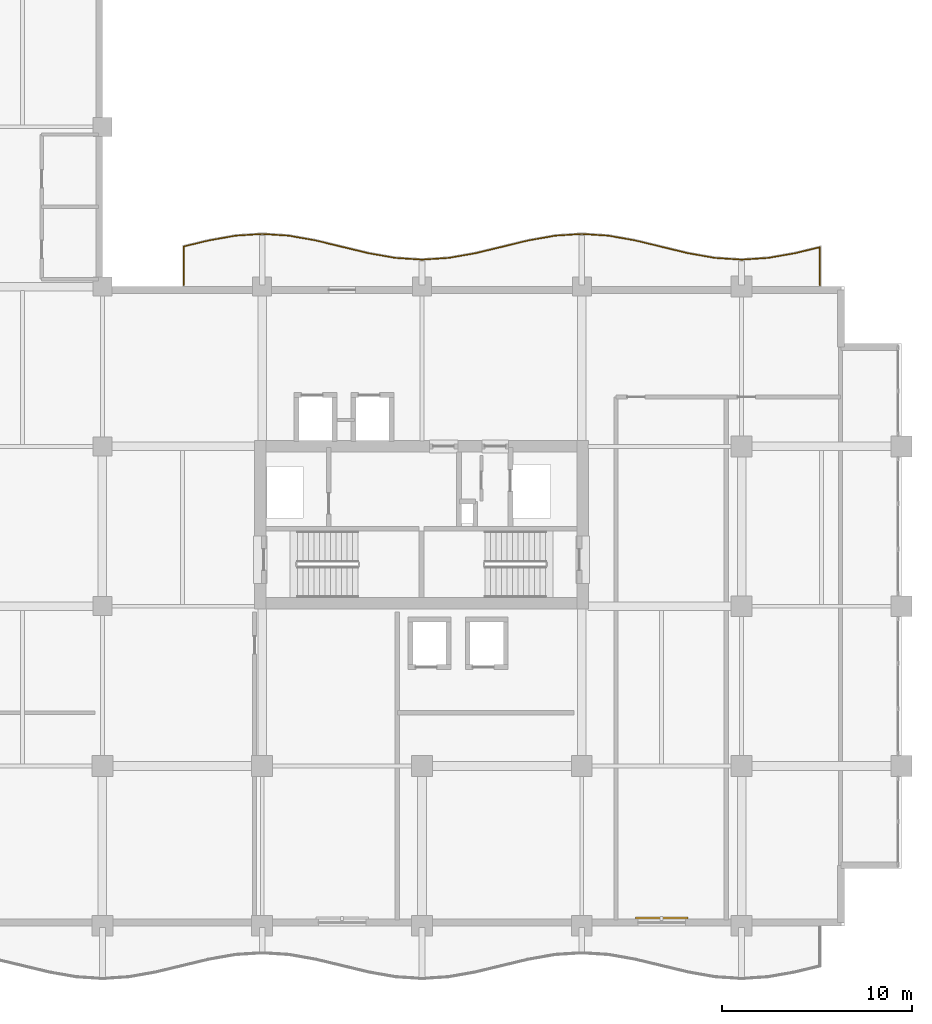
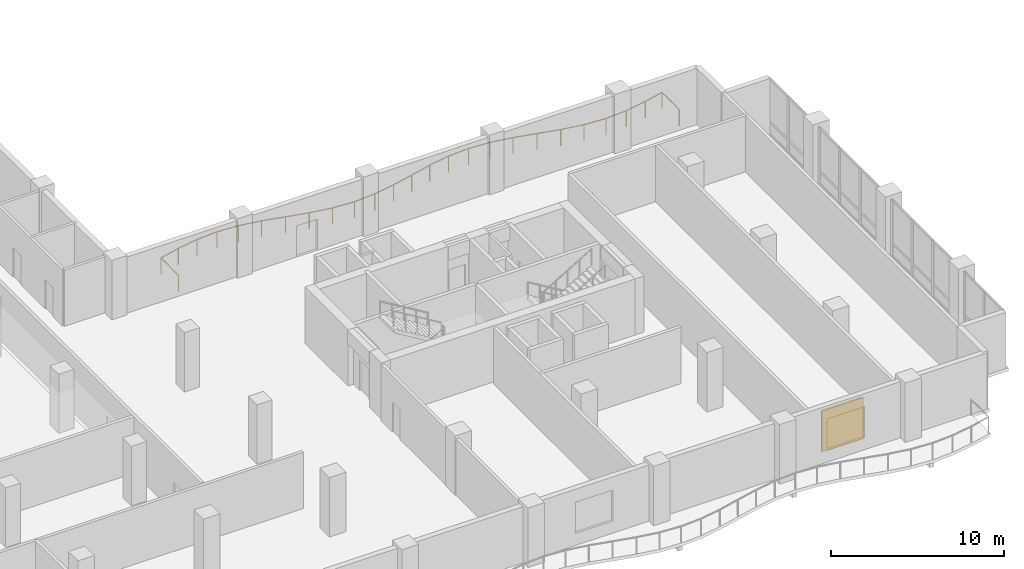
# One storey, part 22 of 22: 1 railing, 1 shading device.
"""IFC4 building model written with IfcOpenShell, lengths in metres."""

from ifc_helpers import new_model, si_unit, direction, frame, origin, origin_2d, place, context, subcontext, project, spatial, rectangle, circle, extrude, material, layer, layer_set, type_object, element, save


model = new_model("IFC4")

# Units and contexts
model_context = context("Model", 3, precision=1e-05, world=origin(), true_north=direction((0.0, 1.0)))
body_context = subcontext(model_context, "Body", "Model", "MODEL_VIEW")
ifc_project = project(units=[si_unit("LENGTHUNIT", "METRE"), si_unit("AREAUNIT", "SQUARE_METRE"), si_unit("VOLUMEUNIT", "CUBIC_METRE"), si_unit("PLANEANGLEUNIT", "RADIAN"), si_unit("MASSUNIT", "GRAM", prefix="KILO")], contexts=[model_context])

# Site, building, storey
site_placement = place(None, origin())
site = spatial("IfcSite", under=ifc_project, at=site_placement, CompositionType="ELEMENT")
building_placement = place(site_placement, origin())
building = spatial("IfcBuilding", under=site, at=building_placement, Name="Koriwani Terraces Tower", CompositionType="ELEMENT")
storey_placement = place(building_placement, frame((0.0, 0.0, 219.800048828125)))
storey = spatial("IfcBuildingStorey", under=building, at=storey_placement, Name="L54", CompositionType="ELEMENT", Elevation=219.800048828125)

# Railing
ifc_material_1 = material(Name="Steel ASTM A572 Grade 50", Category="steel")
railing_type = type_object("IfcRailingType", Name="GUARD_BALUSTRADE_1150", PredefinedType="BALUSTRADE", material=ifc_material_1)
railing_placement = place(storey_placement, frame((71.320068359375, 33.679931640625, 0.0)))
element("IfcRailing", 1, at=railing_placement, inside=storey, type_object=railing_type, Name="L54 Balcony Perimeter Safety Balustrade (NE)", PredefinedType="BALUSTRADE", context=body_context, shape_type="SweptSolid", body=[
    extrude(circle(Radius=0.02392578125, at=origin_2d()), frame((0.0, 0.0, 1.1259765625), z_axis=(0.0, 1.0, 0.0), x_axis=(-1.0, 0.0, 0.0)), (0.0, 0.0, 1.0), 1.993408203125),
    extrude(circle(Radius=0.02392578125, at=origin_2d()), frame((0.0, 1.993408203125, 1.1259765625), z_axis=(-0.972163766848, -0.234302390999, 0.0), x_axis=(0.234302390999, -0.972163766848, 0.0)), (0.0, 0.0, 1.0), 1.341064453125),
    extrude(circle(Radius=0.02392578125, at=origin_2d()), frame((-1.3037109375, 1.67919921875, 1.1259765625), z_axis=(-0.984807637937, -0.173648830292, 0.0), x_axis=(0.173648830292, -0.984807637937, 0.0)), (0.0, 0.0, 1.0), 1.428466796875),
    extrude(circle(Radius=0.02392578125, at=origin_2d()), frame((-2.71044921875, 1.43115234375, 1.1259765625), z_axis=(-0.997931036226, -0.064293443969, 0.0), x_axis=(0.064293443969, -0.997931036226, 0.0)), (0.0, 0.0, 1.0), 1.41259765625),
    extrude(circle(Radius=0.02392578125, at=origin_2d()), frame((-4.1201171875, 1.34033203125, 1.1259765625), z_axis=(-0.997930321615, 0.064304534842, 0.0), x_axis=(-0.064304534842, -0.997930321615, 0.0)), (0.0, 0.0, 1.0), 1.412353515625),
    extrude(circle(Radius=0.02392578125, at=origin_2d()), frame((-5.529541015625, 1.43115234375, 1.1259765625), z_axis=(-0.984807637937, 0.173648830292, 0.0), x_axis=(-0.173648830292, -0.984807637937, 0.0)), (0.0, 0.0, 1.0), 1.428466796875),
    extrude(circle(Radius=0.02392578125, at=origin_2d()), frame((-6.936279296875, 1.67919921875, 1.1259765625), z_axis=(-0.972147505112, 0.234369853661, 0.0), x_axis=(-0.234369853661, -0.972147505112, 0.0)), (0.0, 0.0, 1.0), 2.88037109375),
    extrude(circle(Radius=0.02392578125, at=origin_2d()), frame((-9.736328125, 2.354248046875, 1.1259765625), z_axis=(-0.984787032938, 0.173765646078, 0.0), x_axis=(-0.173765646078, -0.984787032938, 0.0)), (0.0, 0.0, 1.0), 1.414794921875),
    extrude(circle(Radius=0.02392578125, at=origin_2d()), frame((-11.129638671875, 2.60009765625, 1.1259765625), z_axis=(-0.997918766852, 0.064483600738, 0.0), x_axis=(-0.064483600738, -0.997918766852, 0.0)), (0.0, 0.0, 1.0), 1.393310546875),
    extrude(circle(Radius=0.02392578125, at=origin_2d()), frame((-12.52001953125, 2.68994140625, 1.1259765625), z_axis=(-0.997918766852, -0.064483600738, 0.0), x_axis=(0.064483600738, -0.997918766852, 0.0)), (0.0, 0.0, 1.0), 1.393310546875),
    extrude(circle(Radius=0.02392578125, at=origin_2d()), frame((-13.910400390625, 2.60009765625, 1.1259765625), z_axis=(-0.984787032938, -0.173765646078, 0.0), x_axis=(0.173765646078, -0.984787032938, 0.0)), (0.0, 0.0, 1.0), 1.414794921875),
    extrude(circle(Radius=0.02392578125, at=origin_2d()), frame((-15.3037109375, 2.354248046875, 1.1259765625), z_axis=(-0.972147505112, -0.234369853661, 0.0), x_axis=(0.234369853661, -0.972147505112, 0.0)), (0.0, 0.0, 1.0), 2.88037109375),
    extrude(circle(Radius=0.02392578125, at=origin_2d()), frame((-18.103759765625, 1.67919921875, 1.1259765625), z_axis=(-0.984807637937, -0.173648830292, 0.0), x_axis=(0.173648830292, -0.984807637937, 0.0)), (0.0, 0.0, 1.0), 1.428466796875),
    extrude(circle(Radius=0.02392578125, at=origin_2d()), frame((-19.510498046875, 1.43115234375, 1.1259765625), z_axis=(-0.997931036226, -0.064293443969, 0.0), x_axis=(0.064293443969, -0.997931036226, 0.0)), (0.0, 0.0, 1.0), 1.41259765625),
    extrude(circle(Radius=0.02392578125, at=origin_2d()), frame((-20.920166015625, 1.34033203125, 1.1259765625), z_axis=(-0.997930321615, 0.064304534842, 0.0), x_axis=(-0.064304534842, -0.997930321615, 0.0)), (0.0, 0.0, 1.0), 1.412353515625),
    extrude(circle(Radius=0.02392578125, at=origin_2d()), frame((-22.32958984375, 1.43115234375, 1.1259765625), z_axis=(-0.984807637937, 0.173648830292, 0.0), x_axis=(-0.173648830292, -0.984807637937, 0.0)), (0.0, 0.0, 1.0), 1.428466796875),
    extrude(circle(Radius=0.02392578125, at=origin_2d()), frame((-23.736328125, 1.67919921875, 1.1259765625), z_axis=(-0.972147505112, 0.234369853661, 0.0), x_axis=(-0.234369853661, -0.972147505112, 0.0)), (0.0, 0.0, 1.0), 2.88037109375),
    extrude(circle(Radius=0.02392578125, at=origin_2d()), frame((-26.536376953125, 2.354248046875, 1.1259765625), z_axis=(-0.984787032938, 0.173765646078, 0.0), x_axis=(-0.173765646078, -0.984787032938, 0.0)), (0.0, 0.0, 1.0), 1.414794921875),
    extrude(circle(Radius=0.02392578125, at=origin_2d()), frame((-27.9296875, 2.60009765625, 1.1259765625), z_axis=(-0.997918766852, 0.064483600738, 0.0), x_axis=(-0.064483600738, -0.997918766852, 0.0)), (0.0, 0.0, 1.0), 1.393310546875),
    extrude(circle(Radius=0.02392578125, at=origin_2d()), frame((-29.320068359375, 2.68994140625, 1.1259765625), z_axis=(-0.997918766852, -0.064483600738, 0.0), x_axis=(0.064483600738, -0.997918766852, 0.0)), (0.0, 0.0, 1.0), 1.393310546875),
    extrude(circle(Radius=0.02392578125, at=origin_2d()), frame((-30.71044921875, 2.60009765625, 1.1259765625), z_axis=(-0.984787032938, -0.173765646078, 0.0), x_axis=(0.173765646078, -0.984787032938, 0.0)), (0.0, 0.0, 1.0), 1.414794921875),
    extrude(circle(Radius=0.02392578125, at=origin_2d()), frame((-32.103759765625, 2.354248046875, 1.1259765625), z_axis=(-0.972135261578, -0.234420633044, 0.0), x_axis=(0.234420633044, -0.972135261578, 0.0)), (0.0, 0.0, 1.0), 1.374755859375),
    extrude(circle(Radius=0.02392578125, at=origin_2d()), frame((-33.440185546875, 2.031982421875, 1.1259765625), z_axis=(0.0, -1.0, 0.0), x_axis=(1.0, 0.0, 0.0)), (0.0, 0.0, 1.0), 2.031982421875),
    extrude(circle(Radius=0.02099609375, at=origin_2d()), origin(), (0.0, 0.0, 1.0), 1.101806640625),
    extrude(circle(Radius=0.02099609375, at=origin_2d()), frame((0.0, 1.993408203125, 0.0)), (0.0, 0.0, 1.0), 1.101806640625),
    extrude(circle(Radius=0.02099609375, at=origin_2d()), frame((-1.3037109375, 1.67919921875, 0.0)), (0.0, 0.0, 1.0), 1.101806640625),
    extrude(circle(Radius=0.02099609375, at=origin_2d()), frame((-2.71044921875, 1.43115234375, 0.0)), (0.0, 0.0, 1.0), 1.101806640625),
    extrude(circle(Radius=0.02099609375, at=origin_2d()), frame((-4.1201171875, 1.34033203125, 0.0)), (0.0, 0.0, 1.0), 1.101806640625),
    extrude(circle(Radius=0.02099609375, at=origin_2d()), frame((-5.529541015625, 1.43115234375, 0.0)), (0.0, 0.0, 1.0), 1.101806640625),
    extrude(circle(Radius=0.02099609375, at=origin_2d()), frame((-6.936279296875, 1.67919921875, 0.0)), (0.0, 0.0, 1.0), 1.101806640625),
    extrude(circle(Radius=0.02099609375, at=origin_2d()), frame((-8.33642578125, 2.0166015625, 0.0)), (0.0, 0.0, 1.0), 1.101806640625),
    extrude(circle(Radius=0.02099609375, at=origin_2d()), frame((-9.736328125, 2.354248046875, 0.0)), (0.0, 0.0, 1.0), 1.101806640625),
    extrude(circle(Radius=0.02099609375, at=origin_2d()), frame((-11.129638671875, 2.60009765625, 0.0)), (0.0, 0.0, 1.0), 1.101806640625),
    extrude(circle(Radius=0.02099609375, at=origin_2d()), frame((-12.52001953125, 2.68994140625, 0.0)), (0.0, 0.0, 1.0), 1.101806640625),
    extrude(circle(Radius=0.02099609375, at=origin_2d()), frame((-13.910400390625, 2.60009765625, 0.0)), (0.0, 0.0, 1.0), 1.101806640625),
    extrude(circle(Radius=0.02099609375, at=origin_2d()), frame((-15.3037109375, 2.354248046875, 0.0)), (0.0, 0.0, 1.0), 1.101806640625),
    extrude(circle(Radius=0.02099609375, at=origin_2d()), frame((-16.70361328125, 2.0166015625, 0.0)), (0.0, 0.0, 1.0), 1.101806640625),
    extrude(circle(Radius=0.02099609375, at=origin_2d()), frame((-18.103759765625, 1.67919921875, 0.0)), (0.0, 0.0, 1.0), 1.101806640625),
    extrude(circle(Radius=0.02099609375, at=origin_2d()), frame((-19.510498046875, 1.43115234375, 0.0)), (0.0, 0.0, 1.0), 1.101806640625),
    extrude(circle(Radius=0.02099609375, at=origin_2d()), frame((-20.920166015625, 1.34033203125, 0.0)), (0.0, 0.0, 1.0), 1.101806640625),
    extrude(circle(Radius=0.02099609375, at=origin_2d()), frame((-22.32958984375, 1.43115234375, 0.0)), (0.0, 0.0, 1.0), 1.101806640625),
    extrude(circle(Radius=0.02099609375, at=origin_2d()), frame((-23.736328125, 1.67919921875, 0.0)), (0.0, 0.0, 1.0), 1.101806640625),
    extrude(circle(Radius=0.02099609375, at=origin_2d()), frame((-25.13623046875, 2.0166015625, 0.0)), (0.0, 0.0, 1.0), 1.101806640625),
    extrude(circle(Radius=0.02099609375, at=origin_2d()), frame((-26.536376953125, 2.354248046875, 0.0)), (0.0, 0.0, 1.0), 1.101806640625),
    extrude(circle(Radius=0.02099609375, at=origin_2d()), frame((-27.9296875, 2.60009765625, 0.0)), (0.0, 0.0, 1.0), 1.101806640625),
    extrude(circle(Radius=0.02099609375, at=origin_2d()), frame((-29.320068359375, 2.68994140625, 0.0)), (0.0, 0.0, 1.0), 1.101806640625),
    extrude(circle(Radius=0.02099609375, at=origin_2d()), frame((-30.71044921875, 2.60009765625, 0.0)), (0.0, 0.0, 1.0), 1.101806640625),
    extrude(circle(Radius=0.02099609375, at=origin_2d()), frame((-32.103759765625, 2.354248046875, 0.0)), (0.0, 0.0, 1.0), 1.101806640625),
    extrude(circle(Radius=0.02099609375, at=origin_2d()), frame((-33.440185546875, 2.031982421875, 0.0)), (0.0, 0.0, 1.0), 1.101806640625),
    extrude(circle(Radius=0.02099609375, at=origin_2d()), frame((-33.440185546875, 0.0, 0.0)), (0.0, 0.0, 1.0), 1.101806640625),
])

# Shading device
ifc_material_2 = material(Name="Extruded Terracotta Clay", Category="masonry")
ifc_layer = layer(ifc_material_2, 0.1201171875, Name="Extruded Terracotta Clay")
ifc_layer_set = layer_set([ifc_layer], Name="Extruded Terracotta Clay")
shading_device_type = type_object("IfcShadingDeviceType", Name="TERRACOTTA_BAGUETTE_SCREEN_2800", PredefinedType="USERDEFINED", material=ifc_layer_set)
shading_device_placement = place(storey_placement, frame((63.0, 0.405029296875, 0.534912109375), z_axis=(0.0, 0.0, 1.0), x_axis=(-1.0, 0.0, 0.0)))
element("IfcShadingDevice", 2, at=shading_device_placement, inside=storey, type_object=shading_device_type, Name="L54 Extruded Terracotta Baguette Screen (S-21)", ObjectType="BAGUETTE", PredefinedType="USERDEFINED", context=body_context, shape_type="SweptSolid", body=[
    extrude(rectangle(XDim=2.760009765625, YDim=0.1201171875, at=origin_2d()), origin(), (0.0, 0.0, 1.0), 2.89990234375),
])

save(model, "model.ifc")
